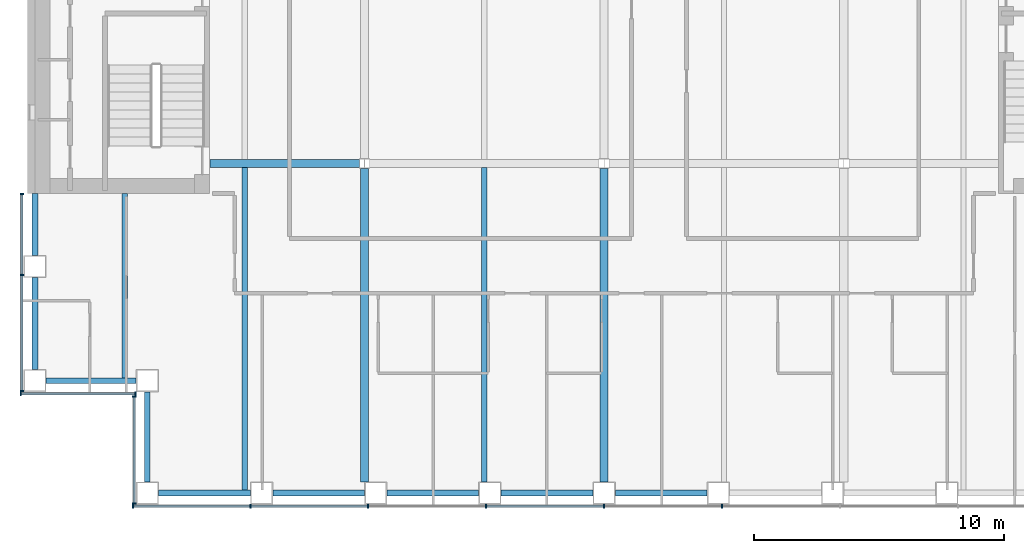
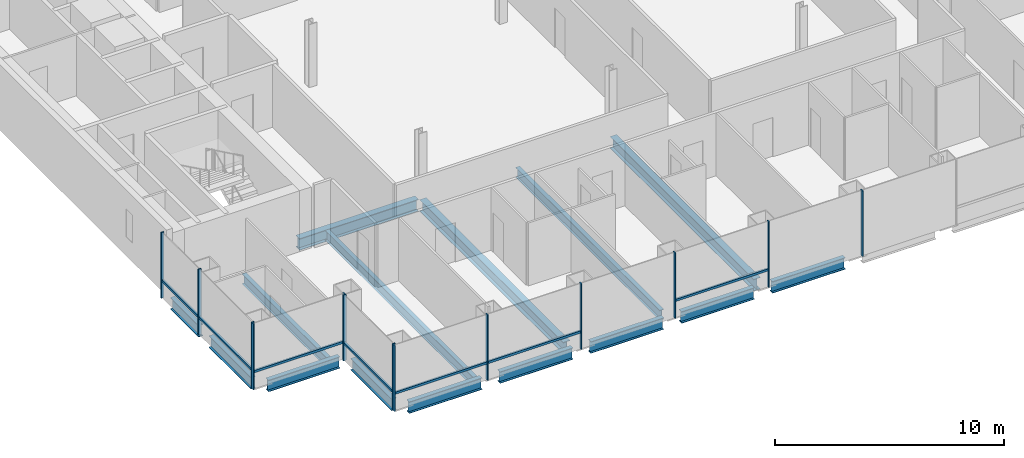
# One storey, part 2 of 16: 20 members, 15 beams, 4 elements without a shape of their own.
"""IFC4 building model written with IfcOpenShell, lengths in metres."""

from ifc_helpers import new_model, si_unit, direction, frame, origin, origin_2d, place, context, subcontext, project, spatial, rectangle, i_section, extrude, material, material_profile, profile_set, type_object, element, aggregate, save


model = new_model("IFC4")

# Units and contexts
model_context = context("Model", 3, precision=1e-05, world=origin(), true_north=direction((0.0, 1.0)))
body_context = subcontext(model_context, "Body", "Model", "MODEL_VIEW")
ifc_project = project(units=[si_unit("LENGTHUNIT", "METRE"), si_unit("AREAUNIT", "SQUARE_METRE"), si_unit("VOLUMEUNIT", "CUBIC_METRE"), si_unit("PLANEANGLEUNIT", "RADIAN"), si_unit("MASSUNIT", "GRAM", prefix="KILO")], contexts=[model_context])

# Site, building, storey
site_placement = place(None, origin())
site = spatial("IfcSite", under=ifc_project, at=site_placement, CompositionType="ELEMENT")
building_placement = place(site_placement, origin())
building = spatial("IfcBuilding", under=site, at=building_placement, Name="Cobrizo Arcos Hotel Tower", CompositionType="ELEMENT")
storey_placement = place(building_placement, frame((0.0, 0.0, 92.5)))
storey = spatial("IfcBuildingStorey", under=building, at=storey_placement, Name="L22", CompositionType="ELEMENT", Elevation=92.5)

# Curtain wall, members
ifc_material_1 = material(Name="Aluminium 6063-T6 anodised bronze", Category="aluminium")
curtain_wall_type = type_object("IfcCurtainWallType", Name="CW-A guest facade", PredefinedType="NOTDEFINED", material=ifc_material_1)
curtain_wall_1_placement = place(storey_placement, origin())
curtain_wall_1 = element("IfcCurtainWall", 1, at=curtain_wall_1_placement, inside=storey, type_object=curtain_wall_type, Name="CW-A L22 S face", PredefinedType="NOTDEFINED")
ifc_material_profile_1 = material_profile(ifc_material_1, rectangle(XDim=0.14990234375, YDim=0.06005859375, at=origin_2d()), Name="CW-A mullion 150x60")
ifc_profile_set_1 = profile_set([ifc_material_profile_1], Name="Aluminium 6063-T6 anodised bronze")
member_type_1 = type_object("IfcMemberType", Name="CW-A mullion 150x60", PredefinedType="MULLION", material=ifc_profile_set_1)
member_1_placement = place(storey_placement, frame((-18.8701171875, -23.324951171875, 0.0), z_axis=(0.0, 0.0, 1.0), x_axis=(0.0, -1.0, 0.0)))
member_1 = element("IfcMember", 2, at=member_1_placement, type_object=member_type_1, Name="CW-A mullion 1", PredefinedType="MULLION", context=body_context, shape_type="SweptSolid", body=[
    extrude(rectangle(XDim=0.14990234375, YDim=0.06005859375, at=origin_2d()), origin(), (0.0, 0.0, 1.0), 3.5),
])
member_2_placement = place(storey_placement, frame((-14.175048828125, -23.324951171875, 0.0), z_axis=(0.0, 0.0, 1.0), x_axis=(0.0, -1.0, 0.0)))
member_2 = element("IfcMember", 3, at=member_2_placement, type_object=member_type_1, Name="CW-A mullion 2", PredefinedType="MULLION", context=body_context, shape_type="SweptSolid", body=[
    extrude(rectangle(XDim=0.14990234375, YDim=0.06005859375, at=origin_2d()), origin(), (0.0, 0.0, 1.0), 3.5),
])
member_3_placement = place(storey_placement, frame((-9.449951171875, -23.324951171875, 0.0), z_axis=(0.0, 0.0, 1.0), x_axis=(0.0, -1.0, 0.0)))
member_3 = element("IfcMember", 4, at=member_3_placement, type_object=member_type_1, Name="CW-A mullion 3", PredefinedType="MULLION", context=body_context, shape_type="SweptSolid", body=[
    extrude(rectangle(XDim=0.14990234375, YDim=0.06005859375, at=origin_2d()), origin(), (0.0, 0.0, 1.0), 3.5),
])
member_4_placement = place(storey_placement, frame((-4.72509765625, -23.324951171875, 0.0), z_axis=(0.0, 0.0, 1.0), x_axis=(0.0, -1.0, 0.0)))
member_4 = element("IfcMember", 5, at=member_4_placement, type_object=member_type_1, Name="CW-A mullion 4", PredefinedType="MULLION", context=body_context, shape_type="SweptSolid", body=[
    extrude(rectangle(XDim=0.14990234375, YDim=0.06005859375, at=origin_2d()), origin(), (0.0, 0.0, 1.0), 3.5),
])
member_5_placement = place(storey_placement, frame((0.0, -23.324951171875, 0.0), z_axis=(0.0, 0.0, 1.0), x_axis=(0.0, -1.0, 0.0)))
member_5 = element("IfcMember", 6, at=member_5_placement, type_object=member_type_1, Name="CW-A mullion 5", PredefinedType="MULLION", context=body_context, shape_type="SweptSolid", body=[
    extrude(rectangle(XDim=0.14990234375, YDim=0.06005859375, at=origin_2d()), origin(), (0.0, 0.0, 1.0), 3.5),
])
member_6_placement = place(storey_placement, frame((4.72509765625, -23.324951171875, 0.0), z_axis=(0.0, 0.0, 1.0), x_axis=(0.0, -1.0, 0.0)))
member_6 = element("IfcMember", 7, at=member_6_placement, type_object=member_type_1, Name="CW-A mullion 6", PredefinedType="MULLION", context=body_context, shape_type="SweptSolid", body=[
    extrude(rectangle(XDim=0.14990234375, YDim=0.06005859375, at=origin_2d()), origin(), (0.0, 0.0, 1.0), 3.5),
])

curtain_wall_2_placement = place(storey_placement, origin())
curtain_wall_2 = element("IfcCurtainWall", 8, at=curtain_wall_2_placement, inside=storey, type_object=curtain_wall_type, Name="CW-A L22 W face", PredefinedType="NOTDEFINED")
member_7_placement = place(storey_placement, frame((-23.324951171875, -10.830078125, 0.0), z_axis=(0.0, 0.0, 1.0), x_axis=(-1.0, 0.0, 0.0)))
member_7 = element("IfcMember", 9, at=member_7_placement, type_object=member_type_1, Name="CW-A mullion 1", PredefinedType="MULLION", context=body_context, shape_type="SweptSolid", body=[
    extrude(rectangle(XDim=0.14990234375, YDim=0.06005859375, at=origin_2d()), origin(), (0.0, 0.0, 1.0), 3.5),
])
member_8_placement = place(storey_placement, frame((-23.324951171875, -14.0625, 0.0), z_axis=(0.0, 0.0, 1.0), x_axis=(-1.0, 0.0, 0.0)))
member_8 = element("IfcMember", 10, at=member_8_placement, type_object=member_type_1, Name="CW-A mullion 2", PredefinedType="MULLION", context=body_context, shape_type="SweptSolid", body=[
    extrude(rectangle(XDim=0.14990234375, YDim=0.06005859375, at=origin_2d()), origin(), (0.0, 0.0, 1.0), 3.5),
])
member_9_placement = place(storey_placement, frame((-23.324951171875, -18.719970703125, 0.0), z_axis=(0.0, 0.0, 1.0), x_axis=(-1.0, 0.0, 0.0)))
member_9 = element("IfcMember", 11, at=member_9_placement, type_object=member_type_1, Name="CW-A mullion 3", PredefinedType="MULLION", context=body_context, shape_type="SweptSolid", body=[
    extrude(rectangle(XDim=0.14990234375, YDim=0.06005859375, at=origin_2d()), origin(), (0.0, 0.0, 1.0), 3.5),
])

curtain_wall_3_placement = place(storey_placement, origin())
curtain_wall_3 = element("IfcCurtainWall", 12, at=curtain_wall_3_placement, inside=storey, type_object=curtain_wall_type, Name="CW-A L22 S face", PredefinedType="NOTDEFINED")
member_10_placement = place(storey_placement, frame((-23.3701171875, -18.824951171875, 0.0), z_axis=(0.0, 0.0, 1.0), x_axis=(0.0, -1.0, 0.0)))
member_10 = element("IfcMember", 13, at=member_10_placement, type_object=member_type_1, Name="CW-A mullion 1", PredefinedType="MULLION", context=body_context, shape_type="SweptSolid", body=[
    extrude(rectangle(XDim=0.14990234375, YDim=0.06005859375, at=origin_2d()), origin(), (0.0, 0.0, 1.0), 3.5),
])
member_11_placement = place(storey_placement, frame((-18.780029296875, -18.824951171875, 0.0), z_axis=(0.0, 0.0, 1.0), x_axis=(0.0, -1.0, 0.0)))
member_11 = element("IfcMember", 14, at=member_11_placement, type_object=member_type_1, Name="CW-A mullion 2", PredefinedType="MULLION", context=body_context, shape_type="SweptSolid", body=[
    extrude(rectangle(XDim=0.14990234375, YDim=0.06005859375, at=origin_2d()), origin(), (0.0, 0.0, 1.0), 3.5),
])

curtain_wall_4_placement = place(storey_placement, origin())
curtain_wall_4 = element("IfcCurtainWall", 15, at=curtain_wall_4_placement, inside=storey, type_object=curtain_wall_type, Name="CW-A L22 W face", PredefinedType="NOTDEFINED")
member_12_placement = place(storey_placement, frame((-18.824951171875, -18.929931640625, 0.0), z_axis=(0.0, 0.0, 1.0), x_axis=(-1.0, 0.0, 0.0)))
member_12 = element("IfcMember", 16, at=member_12_placement, type_object=member_type_1, Name="CW-A mullion 1", PredefinedType="MULLION", context=body_context, shape_type="SweptSolid", body=[
    extrude(rectangle(XDim=0.14990234375, YDim=0.06005859375, at=origin_2d()), origin(), (0.0, 0.0, 1.0), 3.5),
])
member_13_placement = place(storey_placement, frame((-18.824951171875, -23.219970703125, 0.0), z_axis=(0.0, 0.0, 1.0), x_axis=(-1.0, 0.0, 0.0)))
member_13 = element("IfcMember", 17, at=member_13_placement, type_object=member_type_1, Name="CW-A mullion 2", PredefinedType="MULLION", context=body_context, shape_type="SweptSolid", body=[
    extrude(rectangle(XDim=0.14990234375, YDim=0.06005859375, at=origin_2d()), origin(), (0.0, 0.0, 1.0), 3.5),
])

# Member
ifc_material_profile_2 = material_profile(ifc_material_1, rectangle(XDim=0.10009765625, YDim=0.1201171875, at=origin_2d()), Name="CW-A transom 120x100")
ifc_profile_set_2 = profile_set([ifc_material_profile_2], Name="Aluminium 6063-T6 anodised bronze")
member_type_2 = type_object("IfcMemberType", Name="CW-A transom 120x100", PredefinedType="USERDEFINED", material=ifc_profile_set_2)
member_14_placement = place(storey_placement, frame((-18.840087890625, -23.324951171875, 0.929931640625), z_axis=(1.0, 0.0, 0.0), x_axis=(0.0, 1.0, 0.0)))
member_14 = element("IfcMember", 18, at=member_14_placement, type_object=member_type_2, Name="CW-A transom 883", ObjectType="TRANSOM", PredefinedType="USERDEFINED", context=body_context, shape_type="SweptSolid", body=[
    extrude(rectangle(XDim=0.10009765625, YDim=0.1201171875, at=origin_2d()), origin(), (0.0, 0.0, 1.0), 4.635009765625),
])

member_15_placement = place(storey_placement, frame((-14.14501953125, -23.324951171875, 0.929931640625), z_axis=(1.0, 0.0, 0.0), x_axis=(0.0, 1.0, 0.0)))
member_15 = element("IfcMember", 19, at=member_15_placement, type_object=member_type_2, Name="CW-A transom 884", ObjectType="TRANSOM", PredefinedType="USERDEFINED", context=body_context, shape_type="SweptSolid", body=[
    extrude(rectangle(XDim=0.10009765625, YDim=0.1201171875, at=origin_2d()), origin(), (0.0, 0.0, 1.0), 4.6650390625),
])

member_16_placement = place(storey_placement, frame((-4.695068359375, -23.324951171875, 0.929931640625), z_axis=(1.0, 0.0, 0.0), x_axis=(0.0, 1.0, 0.0)))
member_16 = element("IfcMember", 20, at=member_16_placement, type_object=member_type_2, Name="CW-A transom 886", ObjectType="TRANSOM", PredefinedType="USERDEFINED", context=body_context, shape_type="SweptSolid", body=[
    extrude(rectangle(XDim=0.10009765625, YDim=0.1201171875, at=origin_2d()), origin(), (0.0, 0.0, 1.0), 4.6650390625),
])

aggregate(curtain_wall_1, [member_1, member_2, member_3, member_4, member_5, member_6, member_14, member_15, member_16])

member_17_placement = place(storey_placement, frame((-23.324951171875, -10.860107421875, 0.929931640625), z_axis=(0.0, -1.0, 0.0), x_axis=(1.0, 0.0, 0.0)))
member_17 = element("IfcMember", 21, at=member_17_placement, type_object=member_type_2, Name="CW-A transom 911", ObjectType="TRANSOM", PredefinedType="USERDEFINED", context=body_context, shape_type="SweptSolid", body=[
    extrude(rectangle(XDim=0.10009765625, YDim=0.1201171875, at=origin_2d()), origin(), (0.0, 0.0, 1.0), 3.17236328125),
])

member_18_placement = place(storey_placement, frame((-23.324951171875, -14.092529296875, 0.929931640625), z_axis=(0.0, -1.0, 0.0), x_axis=(1.0, 0.0, 0.0)))
member_18 = element("IfcMember", 22, at=member_18_placement, type_object=member_type_2, Name="CW-A transom 912", ObjectType="TRANSOM", PredefinedType="USERDEFINED", context=body_context, shape_type="SweptSolid", body=[
    extrude(rectangle(XDim=0.10009765625, YDim=0.1201171875, at=origin_2d()), origin(), (0.0, 0.0, 1.0), 4.597412109375),
])

aggregate(curtain_wall_2, [member_7, member_8, member_9, member_17, member_18])

member_19_placement = place(storey_placement, frame((-23.340087890625, -18.824951171875, 0.929931640625), z_axis=(1.0, 0.0, 0.0), x_axis=(0.0, 1.0, 0.0)))
member_19 = element("IfcMember", 23, at=member_19_placement, type_object=member_type_2, Name="CW-A transom 913", ObjectType="TRANSOM", PredefinedType="USERDEFINED", context=body_context, shape_type="SweptSolid", body=[
    extrude(rectangle(XDim=0.10009765625, YDim=0.1201171875, at=origin_2d()), origin(), (0.0, 0.0, 1.0), 4.530029296875),
])

aggregate(curtain_wall_3, [member_10, member_11, member_19])

member_20_placement = place(storey_placement, frame((-18.824951171875, -18.9599609375, 0.929931640625), z_axis=(0.0, -1.0, 0.0), x_axis=(1.0, 0.0, 0.0)))
member_20 = element("IfcMember", 24, at=member_20_placement, type_object=member_type_2, Name="CW-A transom 914", ObjectType="TRANSOM", PredefinedType="USERDEFINED", context=body_context, shape_type="SweptSolid", body=[
    extrude(rectangle(XDim=0.10009765625, YDim=0.1201171875, at=origin_2d()), origin(), (0.0, 0.0, 1.0), 4.22998046875),
])

aggregate(curtain_wall_4, [member_12, member_13, member_20])

# Beams
ifc_material_2 = material(Name="Steel ASTM A992 Grade 50", Category="steel")
ifc_material_profile_3 = material_profile(ifc_material_2, i_section(OverallWidth=0.209228515625, OverallDepth=0.533447265625, WebThickness=0.01025390625, FlangeThickness=0.015625, at=origin_2d()), Name="W21X62")
ifc_profile_set_3 = profile_set([ifc_material_profile_3], Name="Steel ASTM A992 Grade 50")
beam_type_1 = type_object("IfcBeamType", Name="W21X62 joist", PredefinedType="JOIST", material=ifc_profile_set_3)
beam_1_placement = place(storey_placement, frame((-19.199951171875, -18.2099609375, -0.416748046875), z_axis=(0.0, 1.0, 0.0), x_axis=(-1.0, 0.0, 0.0)))
element("IfcBeam", 25, at=beam_1_placement, inside=storey, type_object=beam_type_1, Name="Floor joist J1, L22, no. 001", PredefinedType="JOIST", context=body_context, shape_type="SweptSolid", body=[
    extrude(i_section(OverallWidth=0.209228515625, OverallDepth=0.533447265625, WebThickness=0.01025390625, FlangeThickness=0.015625, at=origin_2d()), origin(), (0.0, 0.0, 1.0), 7.39990234375),
])
beam_2_placement = place(storey_placement, frame((-14.39990234375, -22.7099609375, -0.416748046875), z_axis=(0.0, 1.0, 0.0), x_axis=(-1.0, 0.0, 0.0)))
element("IfcBeam", 26, at=beam_2_placement, inside=storey, type_object=beam_type_1, Name="Floor joist J1, L22, no. 003", PredefinedType="JOIST", context=body_context, shape_type="SweptSolid", body=[
    extrude(i_section(OverallWidth=0.209228515625, OverallDepth=0.533447265625, WebThickness=0.01025390625, FlangeThickness=0.015625, at=origin_2d()), origin(), (0.0, 0.0, 1.0), 12.946044921875),
])
beam_3_placement = place(storey_placement, frame((-4.800048828125, -22.35009765625, -0.416748046875), z_axis=(0.0, 1.0, 0.0), x_axis=(-1.0, 0.0, 0.0)))
element("IfcBeam", 27, at=beam_3_placement, inside=storey, type_object=beam_type_1, Name="Floor joist J1, L22, no. 007", PredefinedType="JOIST", context=body_context, shape_type="SweptSolid", body=[
    extrude(i_section(OverallWidth=0.209228515625, OverallDepth=0.533447265625, WebThickness=0.01025390625, FlangeThickness=0.015625, at=origin_2d()), origin(), (0.0, 0.0, 1.0), 12.586181640625),
])
ifc_material_profile_4 = material_profile(ifc_material_2, i_section(OverallWidth=0.32763671875, OverallDepth=0.622314453125, WebThickness=0.015380859375, FlangeThickness=0.0244140625, at=origin_2d()), Name="W24X131")
ifc_profile_set_4 = profile_set([ifc_material_profile_4], Name="Steel ASTM A992 Grade 50")
beam_type_2 = type_object("IfcBeamType", Name="W24X131 girder", PredefinedType="BEAM", material=ifc_profile_set_4)
beam_4_placement = place(storey_placement, frame((-15.7900390625, -9.60009765625, -0.461181640625), z_axis=(1.0, 0.0, 0.0), x_axis=(0.0, 1.0, 0.0)))
element("IfcBeam", 28, at=beam_4_placement, inside=storey, type_object=beam_type_2, Name="Floor girder G1, L22, no. 001", PredefinedType="BEAM", context=body_context, shape_type="SweptSolid", body=[
    extrude(i_section(OverallWidth=0.32763671875, OverallDepth=0.622314453125, WebThickness=0.015380859375, FlangeThickness=0.0244140625, at=origin_2d()), origin(), (0.0, 0.0, 1.0), 5.99072265625),
])
for number, where, z_axis, x_axis, name in (
    (29, (-9.60009765625, -22.35009765625, -0.461181640625), (0.0, 1.0, 0.0), (-1.0, 0.0, 0.0), "Floor girder G1, L22, no. 013"),
    (30, (0.0, -22.35009765625, -0.461181640625), (0.0, 1.0, 0.0), (-1.0, 0.0, 0.0), "Floor girder G1, L22, no. 017"),
):
    element("IfcBeam", number, at=place(storey_placement, frame(where, z_axis=z_axis, x_axis=x_axis)), inside=storey, type_object=beam_type_2, Name=name, PredefinedType="BEAM", context=body_context, shape_type="SweptSolid", body=[
        extrude(i_section(OverallWidth=0.32763671875, OverallDepth=0.622314453125, WebThickness=0.015380859375, FlangeThickness=0.0244140625, at=origin_2d()), origin(), (0.0, 0.0, 1.0), 12.55078125),
    ])
ifc_material_profile_5 = material_profile(ifc_material_2, i_section(OverallWidth=0.23046875, OverallDepth=0.6171875, WebThickness=0.01318359375, FlangeThickness=0.022216796875, at=origin_2d()), Name="W24X94")
ifc_profile_set_5 = profile_set([ifc_material_profile_5], Name="Steel ASTM A992 Grade 50")
beam_type_3 = type_object("IfcBeamType", Name="W24X94 spandrel", PredefinedType="SPANDREL", material=ifc_profile_set_5)
beam_5_placement = place(storey_placement, frame((-17.85009765625, -22.800048828125, -0.45849609375), z_axis=(1.0, 0.0, 0.0), x_axis=(0.0, 1.0, 0.0)))
element("IfcBeam", 31, at=beam_5_placement, inside=storey, type_object=beam_type_3, Name="Spandrel beam W24X94, L22, no. 001", PredefinedType="SPANDREL", context=body_context, shape_type="SweptSolid", body=[
    extrude(i_section(OverallWidth=0.23046875, OverallDepth=0.6171875, WebThickness=0.01318359375, FlangeThickness=0.022216796875, at=origin_2d()), origin(), (0.0, 0.0, 1.0), 3.675048828125),
])
beam_6_placement = place(storey_placement, frame((-13.27490234375, -22.800048828125, -0.45849609375), z_axis=(1.0, 0.0, 0.0), x_axis=(0.0, 1.0, 0.0)))
element("IfcBeam", 32, at=beam_6_placement, inside=storey, type_object=beam_type_3, Name="Spandrel beam W24X94, L22, no. 002", PredefinedType="SPANDREL", context=body_context, shape_type="SweptSolid", body=[
    extrude(i_section(OverallWidth=0.23046875, OverallDepth=0.6171875, WebThickness=0.01318359375, FlangeThickness=0.022216796875, at=origin_2d()), origin(), (0.0, 0.0, 1.0), 3.6748046875),
])
for number, where, z_axis, x_axis, name in (
    (33, (-8.699951171875, -22.800048828125, -0.45849609375), (1.0, 0.0, 0.0), (0.0, 1.0, 0.0), "Spandrel beam W24X94, L22, no. 003"),
    (34, (-4.125, -22.800048828125, -0.45849609375), (1.0, 0.0, 0.0), (0.0, 1.0, 0.0), "Spandrel beam W24X94, L22, no. 004"),
    (35, (0.449951171875, -22.800048828125, -0.45849609375), (1.0, 0.0, 0.0), (0.0, 1.0, 0.0), "Spandrel beam W24X94, L22, no. 005"),
):
    element("IfcBeam", number, at=place(storey_placement, frame(where, z_axis=z_axis, x_axis=x_axis)), inside=storey, type_object=beam_type_3, Name=name, PredefinedType="SPANDREL", context=body_context, shape_type="SweptSolid", body=[
        extrude(i_section(OverallWidth=0.23046875, OverallDepth=0.6171875, WebThickness=0.01318359375, FlangeThickness=0.022216796875, at=origin_2d()), origin(), (0.0, 0.0, 1.0), 3.675048828125),
    ])
beam_7_placement = place(storey_placement, frame((-22.800048828125, -10.81005859375, -0.45849609375), z_axis=(0.0, -1.0, 0.0), x_axis=(1.0, 0.0, 0.0)))
element("IfcBeam", 36, at=beam_7_placement, inside=storey, type_object=beam_type_3, Name="Spandrel beam W24X94, L22, no. 029", PredefinedType="SPANDREL", context=body_context, shape_type="SweptSolid", body=[
    extrude(i_section(OverallWidth=0.23046875, OverallDepth=0.6171875, WebThickness=0.01318359375, FlangeThickness=0.022216796875, at=origin_2d()), origin(), (0.0, 0.0, 1.0), 2.46484375),
])
beam_8_placement = place(storey_placement, frame((-22.800048828125, -14.175048828125, -0.45849609375), z_axis=(0.0, -1.0, 0.0), x_axis=(1.0, 0.0, 0.0)))
element("IfcBeam", 37, at=beam_8_placement, inside=storey, type_object=beam_type_3, Name="Spandrel beam W24X94, L22, no. 030", PredefinedType="SPANDREL", context=body_context, shape_type="SweptSolid", body=[
    extrude(i_section(OverallWidth=0.23046875, OverallDepth=0.6171875, WebThickness=0.01318359375, FlangeThickness=0.022216796875, at=origin_2d()), origin(), (0.0, 0.0, 1.0), 3.675048828125),
])
for number, where, z_axis, x_axis, name in (
    (38, (-22.35009765625, -18.300048828125, -0.45849609375), (1.0, 0.0, 0.0), (0.0, 1.0, 0.0), "Spandrel beam W24X94, L22, no. 031"),
    (39, (-18.300048828125, -18.75, -0.45849609375), (0.0, -1.0, 0.0), (1.0, 0.0, 0.0), "Spandrel beam W24X94, L22, no. 032"),
):
    element("IfcBeam", number, at=place(storey_placement, frame(where, z_axis=z_axis, x_axis=x_axis)), inside=storey, type_object=beam_type_3, Name=name, PredefinedType="SPANDREL", context=body_context, shape_type="SweptSolid", body=[
        extrude(i_section(OverallWidth=0.23046875, OverallDepth=0.6171875, WebThickness=0.01318359375, FlangeThickness=0.022216796875, at=origin_2d()), origin(), (0.0, 0.0, 1.0), 3.60009765625),
    ])

save(model, "model.ifc")
